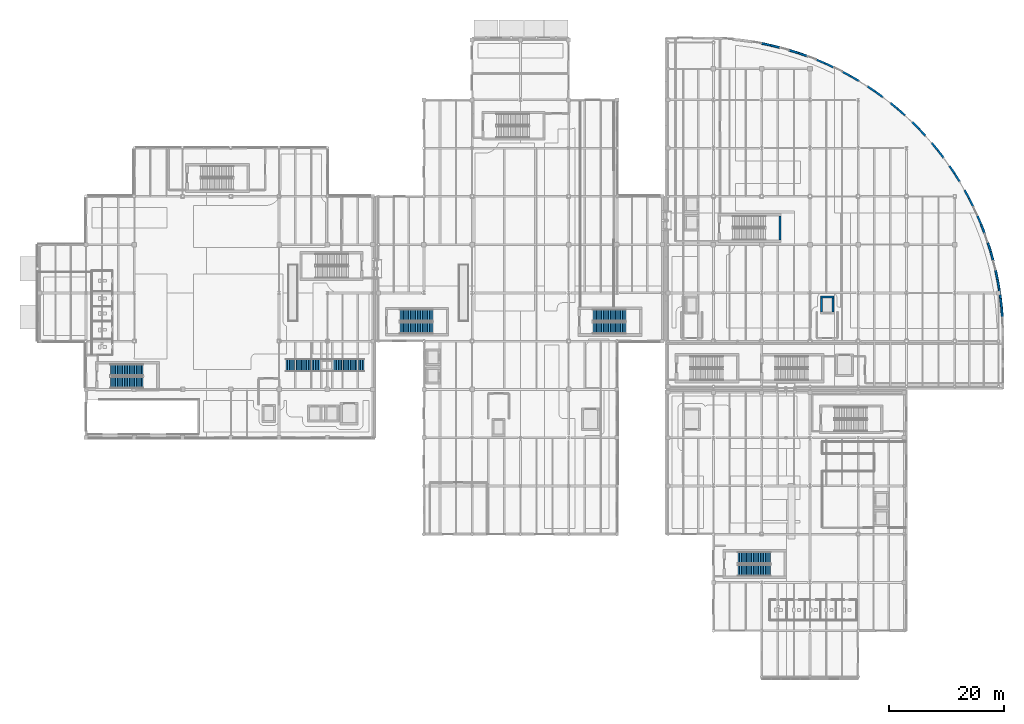
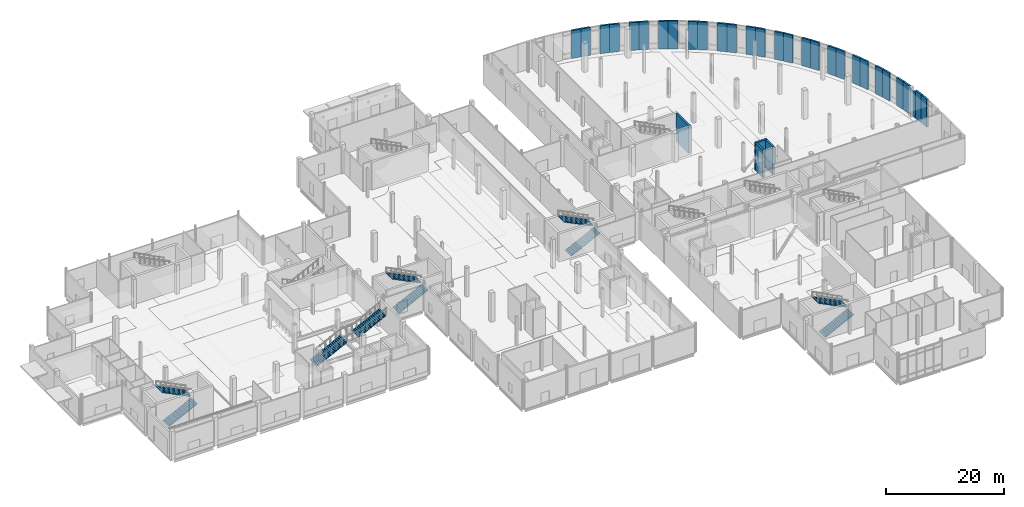
# One storey, part 54 of 85: 33 walls, 10 stair flights, 5 elements without a shape of their own.
"""IFC4 building model written with IfcOpenShell, lengths in metres."""

from ifc_helpers import new_model, si_unit, direction, frame, frame_2d, origin, place, context, subcontext, project, spatial, polyline, rectangle, outline, extrude, material, layer, layer_set, type_object, element, aggregate, save


model = new_model("IFC4")

# Units and contexts
model_context = context("Model", 3, precision=1e-05, world=origin(), true_north=direction((0.0, 1.0)))
body_context = subcontext(model_context, "Body", "Model", "MODEL_VIEW")
ifc_project = project(units=[si_unit("LENGTHUNIT", "METRE"), si_unit("AREAUNIT", "SQUARE_METRE"), si_unit("VOLUMEUNIT", "CUBIC_METRE"), si_unit("PLANEANGLEUNIT", "RADIAN"), si_unit("MASSUNIT", "GRAM", prefix="KILO"), si_unit("THERMODYNAMICTEMPERATUREUNIT", "KELVIN")], contexts=[model_context])

# Site, building, storey
site_placement = place(None, origin())
site = spatial("IfcSite", under=ifc_project, at=site_placement, CompositionType="ELEMENT")
building_placement = place(site_placement, origin())
building = spatial("IfcBuilding", under=site, at=building_placement, Name="Lustrewick Department Store", CompositionType="ELEMENT")
storey_placement = place(building_placement, origin())
storey = spatial("IfcBuildingStorey", under=building, at=storey_placement, Name="L01", CompositionType="ELEMENT", Elevation=0.0)

# Walls
ifc_material_1 = material(Name="Precast concrete C40", Category="concrete")
ifc_layer_1 = layer(ifc_material_1, 0.35009765625, Name="Precast concrete C40")
ifc_layer_set_1 = layer_set([ifc_layer_1], Name="Precast concrete C40")
wall_type_1 = type_object("IfcWallType", Name="EW06", PredefinedType="STANDARD", material=ifc_layer_set_1)
wall_1_placement = place(storey_placement, frame((167.893310546875, 62.931640625, 0.0), z_axis=(0.0, 0.0, 1.0), x_axis=(-0.080111941316, 0.996785873123, 0.0)))
element("IfcWall", 1, at=wall_1_placement, inside=storey, type_object=wall_type_1, Name="L01 V4 Exterior Wall EW06", PredefinedType="STANDARD", context=body_context, shape_type="SweptSolid", body=[
    extrude(rectangle(XDim=1.6669921875, YDim=0.35009765625, at=frame_2d((0.83349609375, 0.0))), origin(), (0.0, 0.0, 1.0), 5.7451171875),
])
wall_2_placement = place(storey_placement, frame((167.759765625, 64.59326171875, 0.0), z_axis=(0.0, 0.0, 1.0), x_axis=(-0.112055133137, 0.993701991111, 0.0)))
element("IfcWall", 2, at=wall_2_placement, inside=storey, type_object=wall_type_1, Name="L01 V4 Exterior Wall EW06", PredefinedType="STANDARD", context=body_context, shape_type="SweptSolid", body=[
    extrude(rectangle(XDim=1.666748046875, YDim=0.35009765625, at=frame_2d((0.83349609375, 0.0))), origin(), (0.0, 0.0, 1.0), 5.7451171875),
])
wall_3_placement = place(storey_placement, frame((167.572998046875, 66.24951171875, 0.0), z_axis=(0.0, 0.0, 1.0), x_axis=(-0.143676460631, 0.989624714051, 0.0)))
element("IfcWall", 3, at=wall_3_placement, inside=storey, type_object=wall_type_1, Name="L01 V4 Exterior Wall EW06", PredefinedType="STANDARD", context=body_context, shape_type="SweptSolid", body=[
    extrude(rectangle(XDim=1.6669921875, YDim=0.35009765625, at=frame_2d((0.83349609375, 0.0))), origin(), (0.0, 0.0, 1.0), 5.23095703125),
])
for number, where, z_axis, x_axis, name in (
    (4, (167.33349609375, 67.899169921875, 0.0), (0.0, 0.0, 1.0), (-0.175456075248, 0.984487260282, 0.0), "L01 V4 Exterior Wall EW06"),
    (5, (167.041015625, 69.540283203125, 0.0), (0.0, 0.0, 1.0), (-0.206807613682, 0.978381628468, 0.0), "L01 V4 Exterior Wall EW06"),
    (6, (166.29931640625, 72.7900390625, 0.0), (0.0, 0.0, 1.0), (-0.269184447228, 0.96308864253, 0.0), "L01 V4 Exterior Wall EW06"),
):
    element("IfcWall", number, at=place(storey_placement, frame(where, z_axis=z_axis, x_axis=x_axis)), inside=storey, type_object=wall_type_1, Name=name, PredefinedType="STANDARD", context=body_context, shape_type="SweptSolid", body=[
        extrude(rectangle(XDim=1.6669921875, YDim=0.35009765625, at=frame_2d((0.83349609375, 0.0))), origin(), (0.0, 0.0, 1.0), 5.7451171875),
    ])
wall_4_placement = place(storey_placement, frame((165.8505859375, 74.3955078125, 0.0), z_axis=(0.0, 0.0, 1.0), x_axis=(-0.299834214299, 0.953991322778, 0.0)))
element("IfcWall", 7, at=wall_4_placement, inside=storey, type_object=wall_type_1, Name="L01 V4 Exterior Wall EW06", PredefinedType="STANDARD", context=body_context, shape_type="SweptSolid", body=[
    extrude(rectangle(XDim=1.666748046875, YDim=0.35009765625, at=frame_2d((0.83349609375, 0.0))), origin(), (0.0, 0.0, 1.0), 5.7451171875),
])
wall_5_placement = place(storey_placement, frame((164.80029296875, 77.55908203125, 0.0), z_axis=(0.0, 0.0, 1.0), x_axis=(-0.360303696609, 0.932835058416, 0.0)))
element("IfcWall", 8, at=wall_5_placement, inside=storey, type_object=wall_type_1, Name="L01 V4 Exterior Wall EW06", PredefinedType="STANDARD", context=body_context, shape_type="SweptSolid", body=[
    extrude(rectangle(XDim=1.6669921875, YDim=0.35009765625, at=frame_2d((0.83349609375, 0.0))), origin(), (0.0, 0.0, 1.0), 5.7451171875),
])
for number, where, z_axis, x_axis, name in (
    (9, (164.19970703125, 79.114013671875, 0.0), (0.0, 0.0, 1.0), (-0.39007957399, 0.92078114987, 0.0), "L01 V4 Exterior Wall EW06"),
    (10, (162.850341796875, 82.162109375, 0.0), (0.0, 0.0, 1.0), (-0.448209338965, 0.893928626046, 0.0), "L01 V4 Exterior Wall EW06"),
    (11, (162.103271484375, 83.652099609375, 0.0), (0.0, 0.0, 1.0), (-0.476787978947, 0.879018329235, 0.0), "L01 V4 Exterior Wall EW06"),
    (12, (160.46728515625, 86.556396484375, 0.0), (0.0, 0.0, 1.0), (-0.531985550055, 0.846753431958, 0.0), "L01 V4 Exterior Wall EW06"),
):
    element("IfcWall", number, at=place(storey_placement, frame(where, z_axis=z_axis, x_axis=x_axis)), inside=storey, type_object=wall_type_1, Name=name, PredefinedType="STANDARD", context=body_context, shape_type="SweptSolid", body=[
        extrude(rectangle(XDim=1.666748046875, YDim=0.35009765625, at=frame_2d((0.83349609375, 0.0))), origin(), (0.0, 0.0, 1.0), 5.7451171875),
    ])
for number, where, z_axis, x_axis, name in (
    (13, (159.58056640625, 87.9677734375, 0.0), (0.0, 0.0, 1.0), (-0.558884114605, 0.829245769626, 0.0), "L01 V4 Exterior Wall EW06"),
    (14, (157.673583984375, 90.70166015625, 0.0), (0.0, 0.0, 1.0), (-0.610863788379, 0.791735708458, 0.0), "L01 V4 Exterior Wall EW06"),
    (15, (156.6552734375, 92.021484375, 0.0), (0.0, 0.0, 1.0), (-0.63595364507, 0.771727258377, 0.0), "L01 V4 Exterior Wall EW06"),
):
    element("IfcWall", number, at=place(storey_placement, frame(where, z_axis=z_axis, x_axis=x_axis)), inside=storey, type_object=wall_type_1, Name=name, PredefinedType="STANDARD", context=body_context, shape_type="SweptSolid", body=[
        extrude(rectangle(XDim=1.6669921875, YDim=0.35009765625, at=frame_2d((0.83349609375, 0.0))), origin(), (0.0, 0.0, 1.0), 5.7451171875),
    ])
wall_6_placement = place(storey_placement, frame((154.494384765625, 94.5595703125, 0.0), z_axis=(0.0, 0.0, 1.0), x_axis=(-0.684038569811, 0.72944584104, 0.0)))
element("IfcWall", 16, at=wall_6_placement, inside=storey, type_object=wall_type_1, Name="L01 V4 Exterior Wall EW06", PredefinedType="STANDARD", context=body_context, shape_type="SweptSolid", body=[
    extrude(rectangle(XDim=1.666748046875, YDim=0.35009765625, at=frame_2d((0.83349609375, 0.0))), origin(), (0.0, 0.0, 1.0), 5.7451171875),
])
for number, where, z_axis, x_axis, name in (
    (17, (153.354248046875, 95.775390625, 0.0), (0.0, 0.0, 1.0), (-0.707106781187, 0.707106781187, 0.0), "L01 V4 Exterior Wall EW06"),
    (18, (150.959716796875, 98.094482421875, 0.0), (0.0, 0.0, 1.0), (-0.750913960524, 0.660400048372, 0.0), "L01 V4 Exterior Wall EW06"),
    (19, (149.7080078125, 99.1953125, 0.0), (0.0, 0.0, 1.0), (-0.771858358272, 0.63579452244, 0.0), "L01 V4 Exterior Wall EW06"),
    (20, (147.101806640625, 101.2734375, 0.0), (0.0, 0.0, 1.0), (-0.810883849923, 0.585207127378, 0.0), "L01 V4 Exterior Wall EW06"),
):
    element("IfcWall", number, at=place(storey_placement, frame(where, z_axis=z_axis, x_axis=x_axis)), inside=storey, type_object=wall_type_1, Name=name, PredefinedType="STANDARD", context=body_context, shape_type="SweptSolid", body=[
        extrude(rectangle(XDim=1.6669921875, YDim=0.35009765625, at=frame_2d((0.83349609375, 0.0))), origin(), (0.0, 0.0, 1.0), 5.7451171875),
    ])
for number, where, z_axis, x_axis, name in (
    (21, (145.75, 102.2490234375, 0.0), (0.0, 0.0, 1.0), (-0.82920001489, 0.558951997319, 0.0), "L01 V4 Exterior Wall EW06"),
    (22, (142.956298828125, 104.0673828125, 0.0), (0.0, 0.0, 1.0), (-0.863279121384, 0.504726815794, 0.0), "L01 V4 Exterior Wall EW06"),
    (23, (141.517333984375, 104.90869140625, 0.0), (0.0, 0.0, 1.0), (-0.879112994826, 0.476613409724, 0.0), "L01 V4 Exterior Wall EW06"),
):
    element("IfcWall", number, at=place(storey_placement, frame(where, z_axis=z_axis, x_axis=x_axis)), inside=storey, type_object=wall_type_1, Name=name, PredefinedType="STANDARD", context=body_context, shape_type="SweptSolid", body=[
        extrude(rectangle(XDim=1.666748046875, YDim=0.35009765625, at=frame_2d((0.83349609375, 0.0))), origin(), (0.0, 0.0, 1.0), 5.7451171875),
    ])
wall_7_placement = place(storey_placement, frame((138.56201171875, 106.450439453125, 0.0), z_axis=(0.0, 0.0, 1.0), x_axis=(-0.907852195258, 0.419290342801, 0.0)))
element("IfcWall", 24, at=wall_7_placement, inside=storey, type_object=wall_type_1, Name="L01 V4 Exterior Wall EW06", PredefinedType="STANDARD", context=body_context, shape_type="SweptSolid", body=[
    extrude(rectangle(XDim=1.6669921875, YDim=0.35009765625, at=frame_2d((0.83349609375, 0.0))), origin(), (0.0, 0.0, 1.0), 5.7451171875),
])
wall_8_placement = place(storey_placement, frame((137.048583984375, 107.1494140625, 0.0), z_axis=(0.0, 0.0, 1.0), x_axis=(-0.920728531671, 0.390203755706, 0.0)))
element("IfcWall", 25, at=wall_8_placement, inside=storey, type_object=wall_type_1, Name="L01 V4 Exterior Wall EW06", PredefinedType="STANDARD", context=body_context, shape_type="SweptSolid", body=[
    extrude(rectangle(XDim=1.666748046875, YDim=0.35009765625, at=frame_2d((0.83349609375, 0.0))), origin(), (0.0, 0.0, 1.0), 5.7451171875),
])
wall_9_placement = place(storey_placement, frame((133.958984375, 108.400390625, 0.0), z_axis=(0.0, 0.0, 1.0), x_axis=(-0.943892599877, 0.330252569856, 0.0)))
element("IfcWall", 26, at=wall_9_placement, inside=storey, type_object=wall_type_1, Name="L01 V4 Exterior Wall EW06", PredefinedType="STANDARD", context=body_context, shape_type="SweptSolid", body=[
    extrude(rectangle(XDim=1.6669921875, YDim=0.35009765625, at=frame_2d((0.83349609375, 0.0))), origin(), (0.0, 0.0, 1.0), 5.7451171875),
])
for number, where, z_axis, x_axis, name in (
    (27, (132.385498046875, 108.950927734375, 0.0), (0.0, 0.0, 1.0), (-0.953991322778, 0.299834214299, 0.0), "L01 V4 Exterior Wall EW06"),
    (28, (129.18994140625, 109.8994140625, 0.0), (0.0, 0.0, 1.0), (-0.971226826458, 0.238156359496, 0.0), "L01 V4 Exterior Wall EW06"),
):
    element("IfcWall", number, at=place(storey_placement, frame(where, z_axis=z_axis, x_axis=x_axis)), inside=storey, type_object=wall_type_1, Name=name, PredefinedType="STANDARD", context=body_context, shape_type="SweptSolid", body=[
        extrude(rectangle(XDim=1.666748046875, YDim=0.35009765625, at=frame_2d((0.83349609375, 0.0))), origin(), (0.0, 0.0, 1.0), 5.7451171875),
    ])
wall_10_placement = place(storey_placement, frame((127.571044921875, 110.29638671875, 0.0), z_axis=(0.0, 0.0, 1.0), x_axis=(-0.978381628468, 0.206807613682, 0.0)))
element("IfcWall", 29, at=wall_10_placement, inside=storey, type_object=wall_type_1, Name="L01 V4 Exterior Wall EW06", PredefinedType="STANDARD", context=body_context, shape_type="SweptSolid", body=[
    extrude(rectangle(XDim=1.6669921875, YDim=0.35009765625, at=frame_2d((0.83349609375, 0.0))), origin(), (0.0, 0.0, 1.0), 5.7451171875),
])
ifc_material_2 = material(Name="Concrete C50", Category="concrete")
ifc_layer_2 = layer(ifc_material_2, 0.39990234375, Name="Concrete C50")
ifc_layer_set_2 = layer_set([ifc_layer_2], Name="Concrete C50")
wall_type_2 = type_object("IfcWallType", Name="SW02", PredefinedType="SHEAR", material=ifc_layer_set_2)
wall_11_placement = place(storey_placement, frame((129.199951171875, 76.39990234375, 0.0), z_axis=(0.0, 0.0, 1.0), x_axis=(0.0, 1.0, 0.0)))
element("IfcWall", 30, at=wall_11_placement, inside=storey, type_object=wall_type_2, Name="L01 Stair Core ST10 Shear Wall E", PredefinedType="SHEAR", context=body_context, shape_type="SweptSolid", body=[
    extrude(rectangle(XDim=4.2001953125, YDim=0.39990234375, at=frame_2d((2.10009765625, 0.0))), origin(), (0.0, 0.0, 1.0), 5.7451171875),
])
ifc_material_3 = material(Name="Concrete C40", Category="concrete")
ifc_layer_3 = layer(ifc_material_3, 0.360107421875, Name="Concrete C40")
ifc_layer_set_3 = layer_set([ifc_layer_3], Name="Concrete C40")
wall_type_3 = type_object("IfcWallType", Name="SW04", PredefinedType="SHEAR", material=ifc_layer_set_3)
wall_12_placement = place(storey_placement, frame((138.3798828125, 63.89990234375, 0.0), z_axis=(0.0, 0.0, 1.0), x_axis=(0.0, 1.0, 0.0)))
element("IfcWall", 31, at=wall_12_placement, inside=storey, type_object=wall_type_3, Name="L01 Lift FFL-03 Shaft Wall +X", PredefinedType="SHEAR", context=body_context, shape_type="SweptSolid", body=[
    extrude(rectangle(XDim=2.400146484375, YDim=0.360107421875, at=frame_2d((1.2001953125, 0.0))), origin(), (0.0, 0.0, 1.0), 5.7451171875),
])
wall_13_placement = place(storey_placement, frame((138.56005859375, 66.47998046875, 0.0), z_axis=(0.0, 0.0, 1.0), x_axis=(-1.0, 0.0, 0.0)))
element("IfcWall", 32, at=wall_13_placement, inside=storey, type_object=wall_type_3, Name="L01 Lift FFL-03 Shaft Wall +Y", PredefinedType="SHEAR", context=body_context, shape_type="SweptSolid", body=[
    extrude(rectangle(XDim=2.320068359375, YDim=0.360107421875, at=frame_2d((1.16015625, 0.0))), origin(), (0.0, 0.0, 1.0), 5.7451171875),
])
wall_14_placement = place(storey_placement, frame((136.419921875, 66.300048828125, 0.0), z_axis=(0.0, 0.0, 1.0), x_axis=(0.0, -1.0, 0.0)))
element("IfcWall", 33, at=wall_14_placement, inside=storey, type_object=wall_type_3, Name="L01 Lift FFL-03 Shaft Wall -X", PredefinedType="SHEAR", context=body_context, shape_type="SweptSolid", body=[
    extrude(rectangle(XDim=2.400146484375, YDim=0.360107421875, at=frame_2d((1.2001953125, 0.0))), origin(), (0.0, 0.0, 1.0), 5.7451171875),
])

# Stair, stair flights
ifc_material_4 = material(Name="Structural steel S355 (Q355B)", Category="steel")
stair_type_1 = type_object("IfcStairType", Name="AST01", PredefinedType="STRAIGHT_RUN_STAIR", material=ifc_material_4)
stair_1_placement = place(storey_placement, origin())
stair_1 = element("IfcStair", 34, at=stair_1_placement, inside=storey, type_object=stair_type_1, Name="L01 Architectural Feature Stair AST01", PredefinedType="STRAIGHT_RUN_STAIR")
stair_flight_type_1 = type_object("IfcStairFlightType", Name="SF-A1", PredefinedType="STRAIGHT", material=ifc_material_4)
stair_flight_1_placement = place(storey_placement, frame((43.199951171875, 54.60009765625, 0.0), z_axis=(0.0, 0.0, 1.0), x_axis=(1.0, 0.0, 0.0)))
stair_flight_1 = element("IfcStairFlight", 35, at=stair_flight_1_placement, type_object=stair_flight_type_1, Name="AST01 flight 1", NumberOfRisers=21, NumberOfTreads=20, PredefinedType="STRAIGHT", RiserHeight=0.15, TreadLength=0.3, context=body_context, shape_type="SweptSolid", body=[
    extrude(outline(polyline([(0.0, 0.0), (0.0, 0.14990234375), (0.300048828125, 0.14990234375), (0.300048828125, 0.300048828125), (0.60009765625, 0.300048828125), (0.60009765625, 0.449951171875), (0.89990234375, 0.449951171875), (0.89990234375, 0.60009765625), (1.199951171875, 0.60009765625), (1.199951171875, 0.75), (1.5, 0.75), (1.5, 0.89990234375), (1.800048828125, 0.89990234375), (1.800048828125, 1.050048828125), (2.10009765625, 1.050048828125), (2.10009765625, 1.199951171875), (2.39990234375, 1.199951171875), (2.39990234375, 1.35009765625), (2.699951171875, 1.35009765625), (2.699951171875, 1.5), (3.0, 1.5), (3.0, 1.64990234375), (3.300048828125, 1.64990234375), (3.300048828125, 1.800048828125), (3.60009765625, 1.800048828125), (3.60009765625, 1.949951171875), (3.89990234375, 1.949951171875), (3.89990234375, 2.10009765625), (4.199951171875, 2.10009765625), (4.199951171875, 2.25), (4.5, 2.25), (4.5, 2.39990234375), (4.800048828125, 2.39990234375), (4.800048828125, 2.550048828125), (5.10009765625, 2.550048828125), (5.10009765625, 2.699951171875), (5.39990234375, 2.699951171875), (5.39990234375, 2.85009765625), (5.699951171875, 2.85009765625), (5.699951171875, 3.0), (6.0, 3.0), (6.0, 3.14990234375), (6.0, 2.8212890625), (0.357666015625, 0.0), (0.0, 0.0)])), frame((0.0, 1.10009765625, 0.0), z_axis=(0.0, -1.0, 0.0), x_axis=(1.0, 0.0, 0.0)), (0.0, 0.0, 1.0), 2.199951171875),
])
stair_flight_2_placement = place(storey_placement, frame((51.39990234375, 54.60009765625, 3.14990234375), z_axis=(0.0, 0.0, 1.0), x_axis=(1.0, 0.0, 0.0)))
stair_flight_2 = element("IfcStairFlight", 36, at=stair_flight_2_placement, type_object=stair_flight_type_1, Name="AST01 flight 2", NumberOfRisers=19, NumberOfTreads=18, PredefinedType="STRAIGHT", RiserHeight=0.15, TreadLength=0.3, context=body_context, shape_type="SweptSolid", body=[
    extrude(outline(polyline([(0.0, 0.0), (0.0, 0.14990234375), (0.300048828125, 0.14990234375), (0.300048828125, 0.300048828125), (0.60009765625, 0.300048828125), (0.60009765625, 0.449951171875), (0.89990234375, 0.449951171875), (0.89990234375, 0.60009765625), (1.199951171875, 0.60009765625), (1.199951171875, 0.75), (1.5, 0.75), (1.5, 0.89990234375), (1.800048828125, 0.89990234375), (1.800048828125, 1.050048828125), (2.10009765625, 1.050048828125), (2.10009765625, 1.199951171875), (2.39990234375, 1.199951171875), (2.39990234375, 1.35009765625), (2.699951171875, 1.35009765625), (2.699951171875, 1.5), (3.0, 1.5), (3.0, 1.64990234375), (3.300048828125, 1.64990234375), (3.300048828125, 1.800048828125), (3.60009765625, 1.800048828125), (3.60009765625, 1.949951171875), (3.89990234375, 1.949951171875), (3.89990234375, 2.10009765625), (4.199951171875, 2.10009765625), (4.199951171875, 2.25), (4.5, 2.25), (4.5, 2.39990234375), (4.800048828125, 2.39990234375), (4.800048828125, 2.550048828125), (5.10009765625, 2.550048828125), (5.10009765625, 2.699951171875), (5.39990234375, 2.699951171875), (5.39990234375, 2.85009765625), (5.39990234375, 2.521240234375), (0.357666015625, 0.0), (0.0, 0.0)])), frame((0.0, 1.10009765625, 0.0), z_axis=(0.0, -1.0, 0.0), x_axis=(1.0, 0.0, 0.0)), (0.0, 0.0, 1.0), 2.199951171875),
])
aggregate(stair_1, [stair_flight_1, stair_flight_2])

ifc_material_5 = material(Name="Concrete C30", Category="concrete")
stair_type_2 = type_object("IfcStairType", Name="ST-H60", PredefinedType="HALF_TURN_STAIR", material=ifc_material_5)
stair_2_placement = place(storey_placement, origin())
stair_2 = element("IfcStair", 37, at=stair_2_placement, inside=storey, type_object=stair_type_2, Name="L01 Smoke-Proof Exit Stair ST01", PredefinedType="HALF_TURN_STAIR")
stair_flight_type_2 = type_object("IfcStairFlightType", Name="SF-H60", PredefinedType="STRAIGHT", material=ifc_material_5)
stair_flight_3_placement = place(storey_placement, frame((12.64990234375, 51.60009765625, 0.0), z_axis=(0.0, 0.0, 1.0), x_axis=(1.0, 0.0, 0.0)))
stair_flight_3 = element("IfcStairFlight", 38, at=stair_flight_3_placement, type_object=stair_flight_type_2, Name="ST-H60 flight 1", NumberOfRisers=20, NumberOfTreads=19, PredefinedType="STRAIGHT", RiserHeight=0.15, TreadLength=0.3, context=body_context, shape_type="SweptSolid", body=[
    extrude(outline(polyline([(0.0, 0.0), (0.0, 0.14990234375), (0.300048828125, 0.14990234375), (0.300048828125, 0.300048828125), (0.60009765625, 0.300048828125), (0.60009765625, 0.449951171875), (0.89990234375, 0.449951171875), (0.89990234375, 0.60009765625), (1.199951171875, 0.60009765625), (1.199951171875, 0.75), (1.5, 0.75), (1.5, 0.89990234375), (1.800048828125, 0.89990234375), (1.800048828125, 1.050048828125), (2.10009765625, 1.050048828125), (2.10009765625, 1.199951171875), (2.39990234375, 1.199951171875), (2.39990234375, 1.35009765625), (2.699951171875, 1.35009765625), (2.699951171875, 1.5), (3.0, 1.5), (3.0, 1.64990234375), (3.300048828125, 1.64990234375), (3.300048828125, 1.800048828125), (3.60009765625, 1.800048828125), (3.60009765625, 1.949951171875), (3.89990234375, 1.949951171875), (3.89990234375, 2.10009765625), (4.199951171875, 2.10009765625), (4.199951171875, 2.25), (4.5, 2.25), (4.5, 2.39990234375), (4.800048828125, 2.39990234375), (4.800048828125, 2.550048828125), (5.10009765625, 2.550048828125), (5.10009765625, 2.699951171875), (5.39990234375, 2.699951171875), (5.39990234375, 2.85009765625), (5.699951171875, 2.85009765625), (5.699951171875, 3.0), (5.699951171875, 2.671142578125), (0.357666015625, 0.0), (0.0, 0.0)])), frame((0.0, 1.0, 0.0), z_axis=(0.0, -1.0, 0.0), x_axis=(1.0, 0.0, 0.0)), (0.0, 0.0, 1.0), 2.0),
])
stair_flight_4_placement = place(storey_placement, frame((18.35009765625, 53.800048828125, 3.0), z_axis=(0.0, 0.0, 1.0), x_axis=(-1.0, 0.0, 0.0)))
stair_flight_4 = element("IfcStairFlight", 39, at=stair_flight_4_placement, type_object=stair_flight_type_2, Name="ST-H60 flight 2", NumberOfRisers=20, NumberOfTreads=19, PredefinedType="STRAIGHT", RiserHeight=0.15, TreadLength=0.3, context=body_context, shape_type="SweptSolid", body=[
    extrude(outline(polyline([(0.0, 0.0), (0.0, 0.14990234375), (0.300048828125, 0.14990234375), (0.300048828125, 0.300048828125), (0.60009765625, 0.300048828125), (0.60009765625, 0.449951171875), (0.89990234375, 0.449951171875), (0.89990234375, 0.60009765625), (1.199951171875, 0.60009765625), (1.199951171875, 0.75), (1.5, 0.75), (1.5, 0.89990234375), (1.800048828125, 0.89990234375), (1.800048828125, 1.050048828125), (2.10009765625, 1.050048828125), (2.10009765625, 1.199951171875), (2.39990234375, 1.199951171875), (2.39990234375, 1.35009765625), (2.699951171875, 1.35009765625), (2.699951171875, 1.5), (3.0, 1.5), (3.0, 1.64990234375), (3.300048828125, 1.64990234375), (3.300048828125, 1.800048828125), (3.60009765625, 1.800048828125), (3.60009765625, 1.949951171875), (3.89990234375, 1.949951171875), (3.89990234375, 2.10009765625), (4.199951171875, 2.10009765625), (4.199951171875, 2.25), (4.5, 2.25), (4.5, 2.39990234375), (4.800048828125, 2.39990234375), (4.800048828125, 2.550048828125), (5.10009765625, 2.550048828125), (5.10009765625, 2.699951171875), (5.39990234375, 2.699951171875), (5.39990234375, 2.85009765625), (5.699951171875, 2.85009765625), (5.699951171875, 3.0), (5.699951171875, 2.671142578125), (0.357666015625, 0.0), (0.0, 0.0)])), frame((0.0, 1.0, 0.0), z_axis=(0.0, -1.0, 0.0), x_axis=(1.0, 0.0, 0.0)), (0.0, 0.0, 1.0), 2.0),
])
aggregate(stair_2, [stair_flight_3, stair_flight_4])

stair_3_placement = place(storey_placement, origin())
stair_3 = element("IfcStair", 40, at=stair_3_placement, inside=storey, type_object=stair_type_2, Name="L01 Smoke-Proof Exit Stair ST04", PredefinedType="HALF_TURN_STAIR")
stair_flight_5_placement = place(storey_placement, frame((63.050048828125, 61.10009765625, 0.0), z_axis=(0.0, 0.0, 1.0), x_axis=(1.0, 0.0, 0.0)))
stair_flight_5 = element("IfcStairFlight", 41, at=stair_flight_5_placement, type_object=stair_flight_type_2, Name="ST-H60 flight 1", NumberOfRisers=20, NumberOfTreads=19, PredefinedType="STRAIGHT", RiserHeight=0.15, TreadLength=0.3, context=body_context, shape_type="SweptSolid", body=[
    extrude(outline(polyline([(0.0, 0.0), (0.0, 0.14990234375), (0.300048828125, 0.14990234375), (0.300048828125, 0.300048828125), (0.60009765625, 0.300048828125), (0.60009765625, 0.449951171875), (0.89990234375, 0.449951171875), (0.89990234375, 0.60009765625), (1.199951171875, 0.60009765625), (1.199951171875, 0.75), (1.5, 0.75), (1.5, 0.89990234375), (1.800048828125, 0.89990234375), (1.800048828125, 1.050048828125), (2.10009765625, 1.050048828125), (2.10009765625, 1.199951171875), (2.39990234375, 1.199951171875), (2.39990234375, 1.35009765625), (2.699951171875, 1.35009765625), (2.699951171875, 1.5), (3.0, 1.5), (3.0, 1.64990234375), (3.300048828125, 1.64990234375), (3.300048828125, 1.800048828125), (3.60009765625, 1.800048828125), (3.60009765625, 1.949951171875), (3.89990234375, 1.949951171875), (3.89990234375, 2.10009765625), (4.199951171875, 2.10009765625), (4.199951171875, 2.25), (4.5, 2.25), (4.5, 2.39990234375), (4.800048828125, 2.39990234375), (4.800048828125, 2.550048828125), (5.10009765625, 2.550048828125), (5.10009765625, 2.699951171875), (5.39990234375, 2.699951171875), (5.39990234375, 2.85009765625), (5.699951171875, 2.85009765625), (5.699951171875, 3.0), (5.699951171875, 2.671142578125), (0.357666015625, 0.0), (0.0, 0.0)])), frame((0.0, 1.0, 0.0), z_axis=(0.0, -1.0, 0.0), x_axis=(1.0, 0.0, 0.0)), (0.0, 0.0, 1.0), 2.0),
])
stair_flight_6_placement = place(storey_placement, frame((68.75, 63.300048828125, 3.0), z_axis=(0.0, 0.0, 1.0), x_axis=(-1.0, 0.0, 0.0)))
stair_flight_6 = element("IfcStairFlight", 42, at=stair_flight_6_placement, type_object=stair_flight_type_2, Name="ST-H60 flight 2", NumberOfRisers=20, NumberOfTreads=19, PredefinedType="STRAIGHT", RiserHeight=0.15, TreadLength=0.3, context=body_context, shape_type="SweptSolid", body=[
    extrude(outline(polyline([(0.0, 0.0), (0.0, 0.14990234375), (0.300048828125, 0.14990234375), (0.300048828125, 0.300048828125), (0.60009765625, 0.300048828125), (0.60009765625, 0.449951171875), (0.89990234375, 0.449951171875), (0.89990234375, 0.60009765625), (1.199951171875, 0.60009765625), (1.199951171875, 0.75), (1.5, 0.75), (1.5, 0.89990234375), (1.800048828125, 0.89990234375), (1.800048828125, 1.050048828125), (2.10009765625, 1.050048828125), (2.10009765625, 1.199951171875), (2.39990234375, 1.199951171875), (2.39990234375, 1.35009765625), (2.699951171875, 1.35009765625), (2.699951171875, 1.5), (3.0, 1.5), (3.0, 1.64990234375), (3.300048828125, 1.64990234375), (3.300048828125, 1.800048828125), (3.60009765625, 1.800048828125), (3.60009765625, 1.949951171875), (3.89990234375, 1.949951171875), (3.89990234375, 2.10009765625), (4.199951171875, 2.10009765625), (4.199951171875, 2.25), (4.5, 2.25), (4.5, 2.39990234375), (4.800048828125, 2.39990234375), (4.800048828125, 2.550048828125), (5.10009765625, 2.550048828125), (5.10009765625, 2.699951171875), (5.39990234375, 2.699951171875), (5.39990234375, 2.85009765625), (5.699951171875, 2.85009765625), (5.699951171875, 3.0), (5.699951171875, 2.671142578125), (0.357666015625, 0.0), (0.0, 0.0)])), frame((0.0, 1.0, 0.0), z_axis=(0.0, -1.0, 0.0), x_axis=(1.0, 0.0, 0.0)), (0.0, 0.0, 1.0), 2.0),
])
aggregate(stair_3, [stair_flight_5, stair_flight_6])

stair_4_placement = place(storey_placement, origin())
stair_4 = element("IfcStair", 43, at=stair_4_placement, inside=storey, type_object=stair_type_2, Name="L01 Smoke-Proof Exit Stair ST05", PredefinedType="HALF_TURN_STAIR")
stair_flight_7_placement = place(storey_placement, frame((96.64990234375, 61.10009765625, 0.0), z_axis=(0.0, 0.0, 1.0), x_axis=(1.0, 0.0, 0.0)))
stair_flight_7 = element("IfcStairFlight", 44, at=stair_flight_7_placement, type_object=stair_flight_type_2, Name="ST-H60 flight 1", NumberOfRisers=20, NumberOfTreads=19, PredefinedType="STRAIGHT", RiserHeight=0.15, TreadLength=0.3, context=body_context, shape_type="SweptSolid", body=[
    extrude(outline(polyline([(0.0, 0.0), (0.0, 0.14990234375), (0.300048828125, 0.14990234375), (0.300048828125, 0.300048828125), (0.60009765625, 0.300048828125), (0.60009765625, 0.449951171875), (0.89990234375, 0.449951171875), (0.89990234375, 0.60009765625), (1.199951171875, 0.60009765625), (1.199951171875, 0.75), (1.5, 0.75), (1.5, 0.89990234375), (1.800048828125, 0.89990234375), (1.800048828125, 1.050048828125), (2.10009765625, 1.050048828125), (2.10009765625, 1.199951171875), (2.39990234375, 1.199951171875), (2.39990234375, 1.35009765625), (2.699951171875, 1.35009765625), (2.699951171875, 1.5), (3.0, 1.5), (3.0, 1.64990234375), (3.300048828125, 1.64990234375), (3.300048828125, 1.800048828125), (3.60009765625, 1.800048828125), (3.60009765625, 1.949951171875), (3.89990234375, 1.949951171875), (3.89990234375, 2.10009765625), (4.199951171875, 2.10009765625), (4.199951171875, 2.25), (4.5, 2.25), (4.5, 2.39990234375), (4.800048828125, 2.39990234375), (4.800048828125, 2.550048828125), (5.10009765625, 2.550048828125), (5.10009765625, 2.699951171875), (5.39990234375, 2.699951171875), (5.39990234375, 2.85009765625), (5.699951171875, 2.85009765625), (5.699951171875, 3.0), (5.699951171875, 2.671142578125), (0.357666015625, 0.0), (0.0, 0.0)])), frame((0.0, 1.0, 0.0), z_axis=(0.0, -1.0, 0.0), x_axis=(1.0, 0.0, 0.0)), (0.0, 0.0, 1.0), 2.0),
])
stair_flight_8_placement = place(storey_placement, frame((102.35009765625, 63.300048828125, 3.0), z_axis=(0.0, 0.0, 1.0), x_axis=(-1.0, 0.0, 0.0)))
stair_flight_8 = element("IfcStairFlight", 45, at=stair_flight_8_placement, type_object=stair_flight_type_2, Name="ST-H60 flight 2", NumberOfRisers=20, NumberOfTreads=19, PredefinedType="STRAIGHT", RiserHeight=0.15, TreadLength=0.3, context=body_context, shape_type="SweptSolid", body=[
    extrude(outline(polyline([(0.0, 0.0), (0.0, 0.14990234375), (0.300048828125, 0.14990234375), (0.300048828125, 0.300048828125), (0.60009765625, 0.300048828125), (0.60009765625, 0.449951171875), (0.89990234375, 0.449951171875), (0.89990234375, 0.60009765625), (1.199951171875, 0.60009765625), (1.199951171875, 0.75), (1.5, 0.75), (1.5, 0.89990234375), (1.800048828125, 0.89990234375), (1.800048828125, 1.050048828125), (2.10009765625, 1.050048828125), (2.10009765625, 1.199951171875), (2.39990234375, 1.199951171875), (2.39990234375, 1.35009765625), (2.699951171875, 1.35009765625), (2.699951171875, 1.5), (3.0, 1.5), (3.0, 1.64990234375), (3.300048828125, 1.64990234375), (3.300048828125, 1.800048828125), (3.60009765625, 1.800048828125), (3.60009765625, 1.949951171875), (3.89990234375, 1.949951171875), (3.89990234375, 2.10009765625), (4.199951171875, 2.10009765625), (4.199951171875, 2.25), (4.5, 2.25), (4.5, 2.39990234375), (4.800048828125, 2.39990234375), (4.800048828125, 2.550048828125), (5.10009765625, 2.550048828125), (5.10009765625, 2.699951171875), (5.39990234375, 2.699951171875), (5.39990234375, 2.85009765625), (5.699951171875, 2.85009765625), (5.699951171875, 3.0), (5.699951171875, 2.671142578125), (0.357666015625, 0.0), (0.0, 0.0)])), frame((0.0, 1.0, 0.0), z_axis=(0.0, -1.0, 0.0), x_axis=(1.0, 0.0, 0.0)), (0.0, 0.0, 1.0), 2.0),
])
aggregate(stair_4, [stair_flight_7, stair_flight_8])

stair_5_placement = place(storey_placement, origin())
stair_5 = element("IfcStair", 46, at=stair_5_placement, inside=storey, type_object=stair_type_2, Name="L01 Smoke-Proof Exit Stair ST07", PredefinedType="HALF_TURN_STAIR")
stair_flight_9_placement = place(storey_placement, frame((121.85009765625, 18.89990234375, 0.0), z_axis=(0.0, 0.0, 1.0), x_axis=(1.0, 0.0, 0.0)))
stair_flight_9 = element("IfcStairFlight", 47, at=stair_flight_9_placement, type_object=stair_flight_type_2, Name="ST-H60 flight 1", NumberOfRisers=20, NumberOfTreads=19, PredefinedType="STRAIGHT", RiserHeight=0.15, TreadLength=0.3, context=body_context, shape_type="SweptSolid", body=[
    extrude(outline(polyline([(0.0, 0.0), (0.0, 0.14990234375), (0.300048828125, 0.14990234375), (0.300048828125, 0.300048828125), (0.60009765625, 0.300048828125), (0.60009765625, 0.449951171875), (0.89990234375, 0.449951171875), (0.89990234375, 0.60009765625), (1.199951171875, 0.60009765625), (1.199951171875, 0.75), (1.5, 0.75), (1.5, 0.89990234375), (1.800048828125, 0.89990234375), (1.800048828125, 1.050048828125), (2.10009765625, 1.050048828125), (2.10009765625, 1.199951171875), (2.39990234375, 1.199951171875), (2.39990234375, 1.35009765625), (2.699951171875, 1.35009765625), (2.699951171875, 1.5), (3.0, 1.5), (3.0, 1.64990234375), (3.300048828125, 1.64990234375), (3.300048828125, 1.800048828125), (3.60009765625, 1.800048828125), (3.60009765625, 1.949951171875), (3.89990234375, 1.949951171875), (3.89990234375, 2.10009765625), (4.199951171875, 2.10009765625), (4.199951171875, 2.25), (4.5, 2.25), (4.5, 2.39990234375), (4.800048828125, 2.39990234375), (4.800048828125, 2.550048828125), (5.10009765625, 2.550048828125), (5.10009765625, 2.699951171875), (5.39990234375, 2.699951171875), (5.39990234375, 2.85009765625), (5.699951171875, 2.85009765625), (5.699951171875, 3.0), (5.699951171875, 2.671142578125), (0.357666015625, 0.0), (0.0, 0.0)])), frame((0.0, 1.0, 0.0), z_axis=(0.0, -1.0, 0.0), x_axis=(1.0, 0.0, 0.0)), (0.0, 0.0, 1.0), 2.0),
])
stair_flight_10_placement = place(storey_placement, frame((127.550048828125, 21.10009765625, 3.0), z_axis=(0.0, 0.0, 1.0), x_axis=(-1.0, 0.0, 0.0)))
stair_flight_10 = element("IfcStairFlight", 48, at=stair_flight_10_placement, type_object=stair_flight_type_2, Name="ST-H60 flight 2", NumberOfRisers=20, NumberOfTreads=19, PredefinedType="STRAIGHT", RiserHeight=0.15, TreadLength=0.3, context=body_context, shape_type="SweptSolid", body=[
    extrude(outline(polyline([(0.0, 0.0), (0.0, 0.14990234375), (0.300048828125, 0.14990234375), (0.300048828125, 0.300048828125), (0.60009765625, 0.300048828125), (0.60009765625, 0.449951171875), (0.89990234375, 0.449951171875), (0.89990234375, 0.60009765625), (1.199951171875, 0.60009765625), (1.199951171875, 0.75), (1.5, 0.75), (1.5, 0.89990234375), (1.800048828125, 0.89990234375), (1.800048828125, 1.050048828125), (2.10009765625, 1.050048828125), (2.10009765625, 1.199951171875), (2.39990234375, 1.199951171875), (2.39990234375, 1.35009765625), (2.699951171875, 1.35009765625), (2.699951171875, 1.5), (3.0, 1.5), (3.0, 1.64990234375), (3.300048828125, 1.64990234375), (3.300048828125, 1.800048828125), (3.60009765625, 1.800048828125), (3.60009765625, 1.949951171875), (3.89990234375, 1.949951171875), (3.89990234375, 2.10009765625), (4.199951171875, 2.10009765625), (4.199951171875, 2.25), (4.5, 2.25), (4.5, 2.39990234375), (4.800048828125, 2.39990234375), (4.800048828125, 2.550048828125), (5.10009765625, 2.550048828125), (5.10009765625, 2.699951171875), (5.39990234375, 2.699951171875), (5.39990234375, 2.85009765625), (5.699951171875, 2.85009765625), (5.699951171875, 3.0), (5.699951171875, 2.671142578125), (0.357666015625, 0.0), (0.0, 0.0)])), frame((0.0, 1.0, 0.0), z_axis=(0.0, -1.0, 0.0), x_axis=(1.0, 0.0, 0.0)), (0.0, 0.0, 1.0), 2.0),
])
aggregate(stair_5, [stair_flight_9, stair_flight_10])

save(model, "model.ifc")
